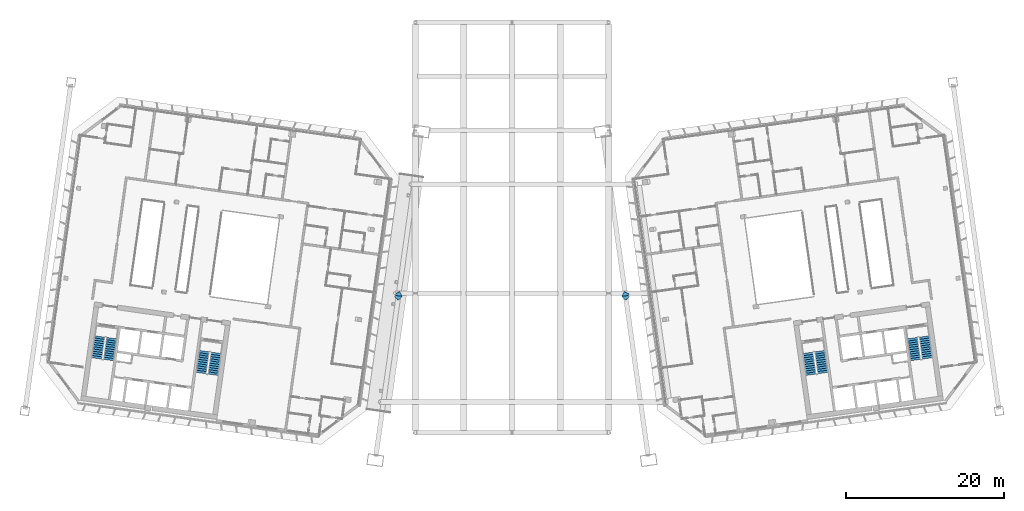
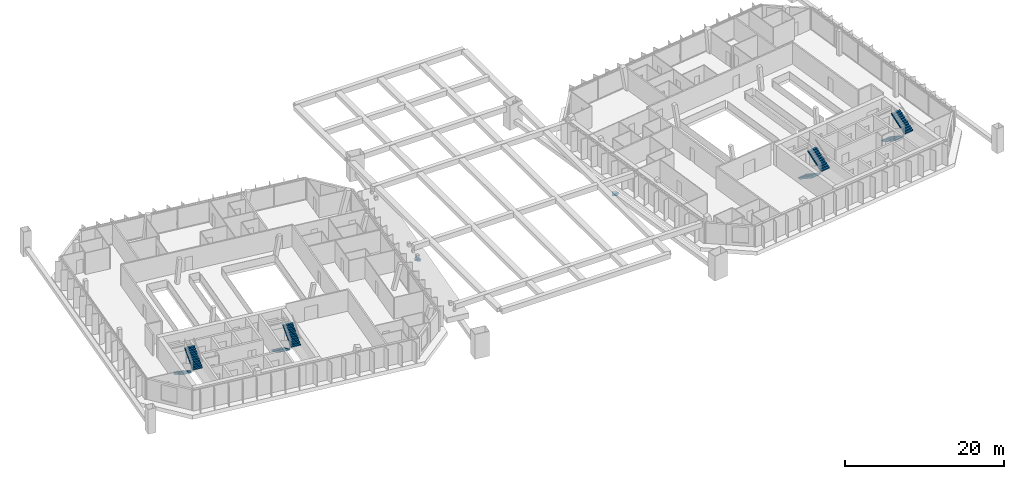
# One storey, part 27 of 36: 8 stair flights, 4 discrete accessories, 4 elements without a shape of their own.
"""IFC4 building model written with IfcOpenShell, lengths in metres."""

import ifcopenshell
import ifcopenshell.guid

model = None  # the IFC model being written
_history = None  # IfcOwnerHistory: only IFC2X3 demands one
_inside = {}  # id of a spatial element -> (the spatial element, [elements in it])
_under = {}  # id of a project, library or spatial element -> (it, [spatial elements below it])
_declared = {}  # id of a project -> (the project, [libraries it declares])
_typed = {}  # id of a type object -> (the type object, [elements of that type])
_made_of = {}  # id of a material, layer set ... -> (it, [elements and type objects made of it])


def new_model(schema):
    """Start an empty IFC model of exactly this schema.

    Asked for "IFC4X3", IfcOpenShell would pick the latest addendum, in which some entities
    have other attributes; the version numbers below select the first issue.
    IFC2X3 requires an IfcOwnerHistory on every rooted entity: one is made here for all.
    """
    global model, _history
    if schema == "IFC4X3":
        model = ifcopenshell.file(schema_version=(4, 3, 0, 0))
    else:
        model = ifcopenshell.file(schema=schema)
    _inside.clear()
    _under.clear()
    _declared.clear()
    _typed.clear()
    _made_of.clear()
    _history = None
    if model.schema == "IFC2X3":
        org = make("IfcOrganization", Name="unknown")
        user = make(
            "IfcPersonAndOrganization",
            ThePerson=make("IfcPerson", FamilyName="unknown"),
            TheOrganization=org,
        )
        app = make(
            "IfcApplication",
            ApplicationDeveloper=org,
            Version="unknown",
            ApplicationFullName="unknown",
            ApplicationIdentifier="unknown",
        )
        _history = make(
            "IfcOwnerHistory",
            OwningUser=user,
            OwningApplication=app,
            ChangeAction="ADDED",
            CreationDate=0,
        )
    return model


def make(cls, **values):
    """One entity of the class cls with the attributes given. An attribute that is None is left unset."""
    return model.create_entity(
        cls, **{name: value for name, value in values.items() if value is not None}
    )


def rooted(cls, **values):
    """An entity with a GlobalId (a new one), such as an element, a storey or a relation."""
    return make(cls, GlobalId=ifcopenshell.guid.new(), OwnerHistory=_history, **values)


def si_unit(unit_type, name, prefix=None):
    """IfcSIUnit, for example si_unit("LENGTHUNIT", "METRE", prefix="MILLI")."""
    return make("IfcSIUnit", UnitType=unit_type, Prefix=prefix, Name=name)


def assignment(units):
    """IfcUnitAssignment: the units of a project."""
    return None if units is None else make("IfcUnitAssignment", Units=units)


def point(xyz):
    """IfcCartesianPoint."""
    return None if xyz is None else make("IfcCartesianPoint", Coordinates=xyz)


def direction(xyz):
    """IfcDirection."""
    return None if xyz is None else make("IfcDirection", DirectionRatios=xyz)


def frame(location, z_axis=None, x_axis=None):
    """IfcAxis2Placement3D, a coordinate frame: its origin and axes. An axis left out is left unset."""
    return make(
        "IfcAxis2Placement3D",
        Location=point(location),
        Axis=direction(z_axis),
        RefDirection=direction(x_axis),
    )


def frame_2d(location, x_axis=None):
    """IfcAxis2Placement2D, a coordinate frame in the plane: its origin and x axis."""
    return make(
        "IfcAxis2Placement2D", Location=point(location), RefDirection=direction(x_axis)
    )


def origin():
    """The frame at (0, 0, 0) with its axes left unset."""
    return frame((0.0, 0.0, 0.0))


def origin_2d():
    """The frame at (0, 0) in the plane with its x axis left unset."""
    return frame_2d((0.0, 0.0))


def place(relative_to, where):
    """IfcLocalPlacement: puts the frame where relative to a parent placement (None: the world)."""
    return make(
        "IfcLocalPlacement", PlacementRelTo=relative_to, RelativePlacement=where
    )


def context(
    kind, dimensions, precision=None, world=None, true_north=None, identifier=None
):
    """IfcGeometricRepresentationContext, for example the 3D "Model" context."""
    return make(
        "IfcGeometricRepresentationContext",
        ContextIdentifier=identifier,
        ContextType=kind,
        CoordinateSpaceDimension=dimensions,
        Precision=precision,
        WorldCoordinateSystem=world,
        TrueNorth=true_north,
    )


def subcontext(parent, identifier, kind, view, scale=None):
    """IfcGeometricRepresentationSubContext, for example "Body" below "Model"."""
    return make(
        "IfcGeometricRepresentationSubContext",
        ContextIdentifier=identifier,
        ContextType=kind,
        ParentContext=parent,
        TargetScale=scale,
        TargetView=view,
    )


def project(units=None, contexts=None):
    """IfcProject with its units and contexts."""
    return rooted(
        "IfcProject",
        Name="project",
        RepresentationContexts=contexts,
        UnitsInContext=assignment(units),
    )


def spatial(cls, under=None, at=None, **own):
    """A site, building, storey or space (cls), placed at a placement, below another one or the project."""
    s = rooted(cls, ObjectPlacement=at, **own)
    if under is not None:
        _under.setdefault(under.id(), (under, []))[1].append(s)
    return s


def polyline(points):
    """IfcPolyline through the points."""
    return make("IfcPolyline", Points=[point(p) for p in points])


def profile(cls, at=None, kind="AREA", **sizes):
    """A parametric profile (cls). Its sizes go by their IFC names, for example OverallWidth=200.0."""
    return make(cls, ProfileType=kind, Position=at, **sizes)


def rectangle(**sizes):
    """IfcRectangleProfileDef."""
    return profile("IfcRectangleProfileDef", **sizes)


def outline(outer, holes=None, kind="AREA"):
    """IfcArbitraryClosedProfileDef: a profile drawn as a closed curve; with holes, ...WithVoids."""
    if holes is None:
        return make("IfcArbitraryClosedProfileDef", ProfileType=kind, OuterCurve=outer)
    return make(
        "IfcArbitraryProfileDefWithVoids",
        ProfileType=kind,
        OuterCurve=outer,
        InnerCurves=holes,
    )


def extrude(swept, where, along, depth):
    """IfcExtrudedAreaSolid: the profile swept, set in the frame where, extruded along a direction by depth."""
    return make(
        "IfcExtrudedAreaSolid",
        SweptArea=swept,
        Position=where,
        ExtrudedDirection=direction(along),
        Depth=depth,
    )


def shape(context_of_items, identifier, shape_type, items):
    """IfcShapeRepresentation: the items that make up one representation, for example the "Body"."""
    return make(
        "IfcShapeRepresentation",
        ContextOfItems=context_of_items,
        RepresentationIdentifier=identifier,
        RepresentationType=shape_type,
        Items=items,
    )


def material(Name=None, Category=None):
    """IfcMaterial."""
    return make("IfcMaterial", Name=Name, Category=Category)


def material_profile(
    of_material, cross_section, Name=None, Category=None, Priority=None
):
    """IfcMaterialProfile: a cross section and its material."""
    return make(
        "IfcMaterialProfile",
        Name=Name,
        Material=of_material,
        Profile=cross_section,
        Priority=Priority,
        Category=Category,
    )


def profile_set(profiles, Name=None, composite=None):
    """IfcMaterialProfileSet."""
    return make(
        "IfcMaterialProfileSet",
        Name=Name,
        MaterialProfiles=profiles,
        CompositeProfile=composite,
    )


def made_of(thing, what):
    """Note that an element or type object is made of a material, layer set ...; save() writes the relation."""
    if what is not None:
        _made_of.setdefault(what.id(), (what, []))[1].append(thing)
    return thing


def type_object(cls, material=None, **own):
    """A type object (cls), such as IfcWallType, which elements share."""
    return made_of(rooted(cls, **own), material)


def element(
    cls,
    number,
    at=None,
    inside=None,
    cuts=None,
    type_object=None,
    material=None,
    context=None,
    identifier="Body",
    shape_type=None,
    held_by="IfcProductDefinitionShape",
    body=None,
    shapes=None,
    **own,
):
    """One element of the class cls, such as IfcWall. Its Tag is "e" and its number.

    at: its placement. inside: the storey or other place that contains it. cuts: it is an
    opening in that element (IfcRelVoidsElement). A single representation is given by context,
    identifier, shape_type and body (its items); several are given by shapes. held_by: the class
    of the entity that holds the representations. save() writes the other relations.
    """
    e = rooted(cls, Tag="e%d" % number, ObjectPlacement=at, **own)
    if body is not None:
        shapes = [shape(context, identifier, shape_type, body)]
    if shapes is not None:
        e.Representation = make(held_by, Representations=shapes)
    if inside is not None:
        _inside.setdefault(inside.id(), (inside, []))[1].append(e)
    if cuts is not None:
        rooted(
            "IfcRelVoidsElement", RelatingBuildingElement=cuts, RelatedOpeningElement=e
        )
    if type_object is not None:
        _typed.setdefault(type_object.id(), (type_object, []))[1].append(e)
    return made_of(e, material)


def aggregate(whole, parts):
    """IfcRelAggregates: a whole, such as a stair, and the parts it consists of."""
    return rooted("IfcRelAggregates", RelatingObject=whole, RelatedObjects=parts)


def save(model, path):
    """Write the relations noted so far, then the file.

    IfcRelAggregates (storeys below a building ...), IfcRelContainedInSpatialStructure (elements
    in a storey), IfcRelDefinesByType, IfcRelAssociatesMaterial and IfcRelDeclares: one each for
    every whole, place, type object, material and project.
    """
    for whole, parts in _under.values():
        aggregate(whole, parts)
    for where, things in _inside.values():
        rooted(
            "IfcRelContainedInSpatialStructure",
            RelatedElements=things,
            RelatingStructure=where,
        )
    for kind, things in _typed.values():
        rooted("IfcRelDefinesByType", RelatedObjects=things, RelatingType=kind)
    for what, things in _made_of.values():
        rooted("IfcRelAssociatesMaterial", RelatedObjects=things, RelatingMaterial=what)
    for by, libraries in _declared.values():
        rooted("IfcRelDeclares", RelatingContext=by, RelatedDefinitions=libraries)
    model.write(path)


model = new_model("IFC4")

# Units and contexts
model_context = context("Model", 3, precision=1e-05, world=origin(), true_north=direction((0.0, 1.0)))
body_context = subcontext(model_context, "Body", "Model", "MODEL_VIEW")
ifc_project = project(units=[si_unit("LENGTHUNIT", "METRE"), si_unit("AREAUNIT", "SQUARE_METRE"), si_unit("VOLUMEUNIT", "CUBIC_METRE"), si_unit("PLANEANGLEUNIT", "RADIAN"), si_unit("MASSUNIT", "GRAM", prefix="KILO")], contexts=[model_context])

# Site, building, storey
site_placement = place(None, origin())
site = spatial("IfcSite", under=ifc_project, at=site_placement, CompositionType="ELEMENT")
building_placement = place(site_placement, origin())
building = spatial("IfcBuilding", under=site, at=building_placement, Name="Mirante Cascada Hotel Towers", CompositionType="ELEMENT")
storey_placement = place(building_placement, frame((0.0, 0.0, 254.6)))
storey = spatial("IfcBuildingStorey", under=building, at=storey_placement, Name="L61", CompositionType="ELEMENT", Elevation=254.6)

# Stair, stair flights
ifc_material_1 = material(Name="Concrete C35/45", Category="concrete")
stair_type = type_object("IfcStairType", Name="Exit stair half-turn 1350 concrete C35/45", PredefinedType="HALF_TURN_STAIR", material=ifc_material_1)
stair_1_placement = place(storey_placement, origin())
stair_1 = element("IfcStair", 1, at=stair_1_placement, inside=storey, type_object=stair_type, Name="L61 Exit stair A", PredefinedType="HALF_TURN_STAIR")
ifc_material_2 = material(Name="Concrete C35/45", Category="concrete")
stair_flight_type = type_object("IfcStairFlightType", Name="Exit stair flight 1350 concrete C35/45", PredefinedType="STRAIGHT", material=ifc_material_2)
stair_flight_1_placement = place(storey_placement, frame((-38.9417, -11.195, 0.0), z_axis=(0.0, 0.0, 1.0), x_axis=(-0.1391731, -0.9902681, 0.0)))
stair_flight_1 = element("IfcStairFlight", 2, at=stair_flight_1_placement, type_object=stair_flight_type, Name="ST1-A flight 1", NumberOfRisers=11, NumberOfTreads=10, PredefinedType="STRAIGHT", RiserHeight=0.172727273, TreadLength=0.28, context=body_context, shape_type="SweptSolid", body=[
    extrude(outline(polyline([(0.0, 0.0), (0.0, 0.1727), (0.28, 0.1727), (0.28, 0.3455), (0.56, 0.3455), (0.56, 0.5182), (0.84, 0.5182), (0.84, 0.6909), (1.12, 0.6909), (1.12, 0.8636), (1.4, 0.8636), (1.4, 1.0364), (1.68, 1.0364), (1.68, 1.2091), (1.96, 1.2091), (1.96, 1.3818), (2.24, 1.3818), (2.24, 1.5545), (2.52, 1.5545), (2.52, 1.7273), (2.8, 1.7273), (2.8, 1.9), (2.8, 1.551), (0.2857, 0.0), (0.0, 0.0)])), frame((0.0, 0.675, 0.0), z_axis=(0.0, -1.0, 0.0), x_axis=(1.0, 0.0, 0.0)), (0.0, 0.0, 1.0), 1.35),
])
stair_flight_2_placement = place(storey_placement, frame((-37.846, -14.1765, 1.9), z_axis=(0.0, 0.0, 1.0), x_axis=(0.1391731, 0.9902681, 0.0)))
stair_flight_2 = element("IfcStairFlight", 3, at=stair_flight_2_placement, type_object=stair_flight_type, Name="ST1-A flight 2", NumberOfRisers=11, NumberOfTreads=10, PredefinedType="STRAIGHT", RiserHeight=0.172727273, TreadLength=0.28, context=body_context, shape_type="SweptSolid", body=[
    extrude(outline(polyline([(0.0, 0.0), (0.0, 0.1727), (0.28, 0.1727), (0.28, 0.3455), (0.56, 0.3455), (0.56, 0.5182), (0.84, 0.5182), (0.84, 0.6909), (1.12, 0.6909), (1.12, 0.8636), (1.4, 0.8636), (1.4, 1.0364), (1.68, 1.0364), (1.68, 1.2091), (1.96, 1.2091), (1.96, 1.3818), (2.24, 1.3818), (2.24, 1.5545), (2.52, 1.5545), (2.52, 1.7273), (2.8, 1.7273), (2.8, 1.9), (2.8, 1.551), (0.2857, 0.0), (0.0, 0.0)])), frame((0.0, 0.675, 0.0), z_axis=(0.0, -1.0, 0.0), x_axis=(1.0, 0.0, 0.0)), (0.0, 0.0, 1.0), 1.35),
])
aggregate(stair_1, [stair_flight_1, stair_flight_2])

stair_2_placement = place(storey_placement, origin())
stair_2 = element("IfcStair", 4, at=stair_2_placement, inside=storey, type_object=stair_type, Name="L61 Exit stair B", PredefinedType="HALF_TURN_STAIR")
stair_flight_3_placement = place(storey_placement, frame((-52.1618, -9.3371, 0.0), z_axis=(0.0, 0.0, 1.0), x_axis=(-0.1391731, -0.9902681, 0.0)))
stair_flight_3 = element("IfcStairFlight", 5, at=stair_flight_3_placement, type_object=stair_flight_type, Name="ST1-B flight 1", NumberOfRisers=11, NumberOfTreads=10, PredefinedType="STRAIGHT", RiserHeight=0.172727273, TreadLength=0.28, context=body_context, shape_type="SweptSolid", body=[
    extrude(outline(polyline([(0.0, 0.0), (0.0, 0.1727), (0.28, 0.1727), (0.28, 0.3455), (0.56, 0.3455), (0.56, 0.5182), (0.84, 0.5182), (0.84, 0.6909), (1.12, 0.6909), (1.12, 0.8636), (1.4, 0.8636), (1.4, 1.0364), (1.68, 1.0364), (1.68, 1.2091), (1.96, 1.2091), (1.96, 1.3818), (2.24, 1.3818), (2.24, 1.5545), (2.52, 1.5545), (2.52, 1.7273), (2.8, 1.7273), (2.8, 1.9), (2.8, 1.551), (0.2857, 0.0), (0.0, 0.0)])), frame((0.0, 0.675, 0.0), z_axis=(0.0, -1.0, 0.0), x_axis=(1.0, 0.0, 0.0)), (0.0, 0.0, 1.0), 1.35),
])
stair_flight_4_placement = place(storey_placement, frame((-51.0661, -12.3186, 1.9), z_axis=(0.0, 0.0, 1.0), x_axis=(0.1391731, 0.9902681, 0.0)))
stair_flight_4 = element("IfcStairFlight", 6, at=stair_flight_4_placement, type_object=stair_flight_type, Name="ST1-B flight 2", NumberOfRisers=11, NumberOfTreads=10, PredefinedType="STRAIGHT", RiserHeight=0.172727273, TreadLength=0.28, context=body_context, shape_type="SweptSolid", body=[
    extrude(outline(polyline([(0.0, 0.0), (0.0, 0.1727), (0.28, 0.1727), (0.28, 0.3455), (0.56, 0.3455), (0.56, 0.5182), (0.84, 0.5182), (0.84, 0.6909), (1.12, 0.6909), (1.12, 0.8636), (1.4, 0.8636), (1.4, 1.0364), (1.68, 1.0364), (1.68, 1.2091), (1.96, 1.2091), (1.96, 1.3818), (2.24, 1.3818), (2.24, 1.5545), (2.52, 1.5545), (2.52, 1.7273), (2.8, 1.7273), (2.8, 1.9), (2.8, 1.551), (0.2857, 0.0), (0.0, 0.0)])), frame((0.0, 0.675, 0.0), z_axis=(0.0, -1.0, 0.0), x_axis=(1.0, 0.0, 0.0)), (0.0, 0.0, 1.0), 1.35),
])
aggregate(stair_2, [stair_flight_3, stair_flight_4])

stair_3_placement = place(storey_placement, origin())
stair_3 = element("IfcStair", 7, at=stair_3_placement, inside=storey, type_object=stair_type, Name="L61 Exit stair A", PredefinedType="HALF_TURN_STAIR")
stair_flight_5_placement = place(storey_placement, frame((37.4563, -11.4038, 0.0), z_axis=(0.0, 0.0, 1.0), x_axis=(0.1391731, -0.9902681, 0.0)))
stair_flight_5 = element("IfcStairFlight", 8, at=stair_flight_5_placement, type_object=stair_flight_type, Name="ST2-A flight 1", NumberOfRisers=11, NumberOfTreads=10, PredefinedType="STRAIGHT", RiserHeight=0.172727273, TreadLength=0.28, context=body_context, shape_type="SweptSolid", body=[
    extrude(outline(polyline([(0.0, 0.0), (0.0, 0.1727), (0.28, 0.1727), (0.28, 0.3455), (0.56, 0.3455), (0.56, 0.5182), (0.84, 0.5182), (0.84, 0.6909), (1.12, 0.6909), (1.12, 0.8636), (1.4, 0.8636), (1.4, 1.0364), (1.68, 1.0364), (1.68, 1.2091), (1.96, 1.2091), (1.96, 1.3818), (2.24, 1.3818), (2.24, 1.5545), (2.52, 1.5545), (2.52, 1.7273), (2.8, 1.7273), (2.8, 1.9), (2.8, 1.551), (0.2857, 0.0), (0.0, 0.0)])), frame((0.0, 0.675, 0.0), z_axis=(0.0, -1.0, 0.0), x_axis=(1.0, 0.0, 0.0)), (0.0, 0.0, 1.0), 1.35),
])
stair_flight_6_placement = place(storey_placement, frame((39.3314, -13.9678, 1.9), z_axis=(0.0, 0.0, 1.0), x_axis=(-0.1391731, 0.9902681, 0.0)))
stair_flight_6 = element("IfcStairFlight", 9, at=stair_flight_6_placement, type_object=stair_flight_type, Name="ST2-A flight 2", NumberOfRisers=11, NumberOfTreads=10, PredefinedType="STRAIGHT", RiserHeight=0.172727273, TreadLength=0.28, context=body_context, shape_type="SweptSolid", body=[
    extrude(outline(polyline([(0.0, 0.0), (0.0, 0.1727), (0.28, 0.1727), (0.28, 0.3455), (0.56, 0.3455), (0.56, 0.5182), (0.84, 0.5182), (0.84, 0.6909), (1.12, 0.6909), (1.12, 0.8636), (1.4, 0.8636), (1.4, 1.0364), (1.68, 1.0364), (1.68, 1.2091), (1.96, 1.2091), (1.96, 1.3818), (2.24, 1.3818), (2.24, 1.5545), (2.52, 1.5545), (2.52, 1.7273), (2.8, 1.7273), (2.8, 1.9), (2.8, 1.551), (0.2857, 0.0), (0.0, 0.0)])), frame((0.0, 0.675, 0.0), z_axis=(0.0, -1.0, 0.0), x_axis=(1.0, 0.0, 0.0)), (0.0, 0.0, 1.0), 1.35),
])
aggregate(stair_3, [stair_flight_5, stair_flight_6])

stair_4_placement = place(storey_placement, origin())
stair_4 = element("IfcStair", 10, at=stair_4_placement, inside=storey, type_object=stair_type, Name="L61 Exit stair B", PredefinedType="HALF_TURN_STAIR")
stair_flight_7_placement = place(storey_placement, frame((50.6764, -9.5458, 0.0), z_axis=(0.0, 0.0, 1.0), x_axis=(0.1391731, -0.9902681, 0.0)))
stair_flight_7 = element("IfcStairFlight", 11, at=stair_flight_7_placement, type_object=stair_flight_type, Name="ST2-B flight 1", NumberOfRisers=11, NumberOfTreads=10, PredefinedType="STRAIGHT", RiserHeight=0.172727273, TreadLength=0.28, context=body_context, shape_type="SweptSolid", body=[
    extrude(outline(polyline([(0.0, 0.0), (0.0, 0.1727), (0.28, 0.1727), (0.28, 0.3455), (0.56, 0.3455), (0.56, 0.5182), (0.84, 0.5182), (0.84, 0.6909), (1.12, 0.6909), (1.12, 0.8636), (1.4, 0.8636), (1.4, 1.0364), (1.68, 1.0364), (1.68, 1.2091), (1.96, 1.2091), (1.96, 1.3818), (2.24, 1.3818), (2.24, 1.5545), (2.52, 1.5545), (2.52, 1.7273), (2.8, 1.7273), (2.8, 1.9), (2.8, 1.551), (0.2857, 0.0), (0.0, 0.0)])), frame((0.0, 0.675, 0.0), z_axis=(0.0, -1.0, 0.0), x_axis=(1.0, 0.0, 0.0)), (0.0, 0.0, 1.0), 1.35),
])
stair_flight_8_placement = place(storey_placement, frame((52.5515, -12.1098, 1.9), z_axis=(0.0, 0.0, 1.0), x_axis=(-0.1391731, 0.9902681, 0.0)))
stair_flight_8 = element("IfcStairFlight", 12, at=stair_flight_8_placement, type_object=stair_flight_type, Name="ST2-B flight 2", NumberOfRisers=11, NumberOfTreads=10, PredefinedType="STRAIGHT", RiserHeight=0.172727273, TreadLength=0.28, context=body_context, shape_type="SweptSolid", body=[
    extrude(outline(polyline([(0.0, 0.0), (0.0, 0.1727), (0.28, 0.1727), (0.28, 0.3455), (0.56, 0.3455), (0.56, 0.5182), (0.84, 0.5182), (0.84, 0.6909), (1.12, 0.6909), (1.12, 0.8636), (1.4, 0.8636), (1.4, 1.0364), (1.68, 1.0364), (1.68, 1.2091), (1.96, 1.2091), (1.96, 1.3818), (2.24, 1.3818), (2.24, 1.5545), (2.52, 1.5545), (2.52, 1.7273), (2.8, 1.7273), (2.8, 1.9), (2.8, 1.551), (0.2857, 0.0), (0.0, 0.0)])), frame((0.0, 0.675, 0.0), z_axis=(0.0, -1.0, 0.0), x_axis=(1.0, 0.0, 0.0)), (0.0, 0.0, 1.0), 1.35),
])
aggregate(stair_4, [stair_flight_7, stair_flight_8])

# Discrete accessories
ifc_material_3 = material(Name="Steel ASTM A572 Gr 50", Category="steel")
ifc_material_profile = material_profile(ifc_material_3, rectangle(XDim=0.7, YDim=0.7, at=origin_2d()), Name="Connection plate 700x700x25 ASTM A572 Gr 50")
ifc_profile_set = profile_set([ifc_material_profile], Name="Steel ASTM A572 Gr 50")
discrete_accessory_type = type_object("IfcDiscreteAccessoryType", Name="Connection plate 700x700x25 ASTM A572 Gr 50", PredefinedType="BRACKET", material=ifc_profile_set)
for number, where, z_axis, x_axis, name in (
    (13, (-14.3891, -4.2924, 1.018), (0.1598913, 0.1758804, 0.9713397), (-0.7399401, 0.6726728, 0.0), "Connection plate MB-IL35L"),
    (14, (-14.362, -4.0994, 1.018), (0.1079249, -0.2118526, 0.9713242), (0.8910395, 0.4539258, 0.0), "Connection plate MB-IL35R"),
    (15, (14.3891, -4.2924, 1.018), (-0.1598913, 0.1758804, 0.9713397), (-0.7399401, -0.6726728, 0.0), "Connection plate MB-IL35L"),
    (16, (14.362, -4.0994, 1.018), (-0.1079249, -0.2118526, 0.9713242), (0.8910395, -0.4539258, 0.0), "Connection plate MB-IL35R"),
):
    element("IfcDiscreteAccessory", number, at=place(storey_placement, frame(where, z_axis=z_axis, x_axis=x_axis)), inside=storey, type_object=discrete_accessory_type, Name=name, PredefinedType="BRACKET", context=body_context, shape_type="SweptSolid", body=[
        extrude(rectangle(XDim=0.7, YDim=0.7, at=origin_2d()), origin(), (0.0, 0.0, 1.0), 0.025),
    ])

save(model, "model.ifc")
